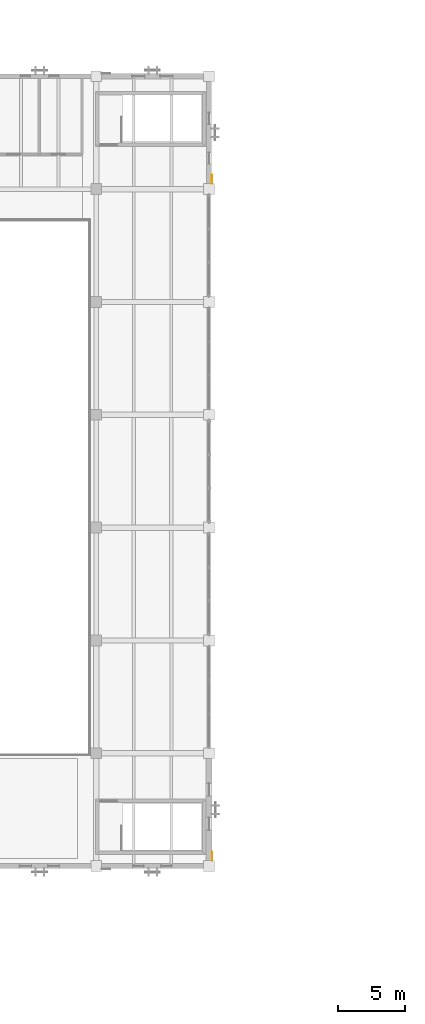
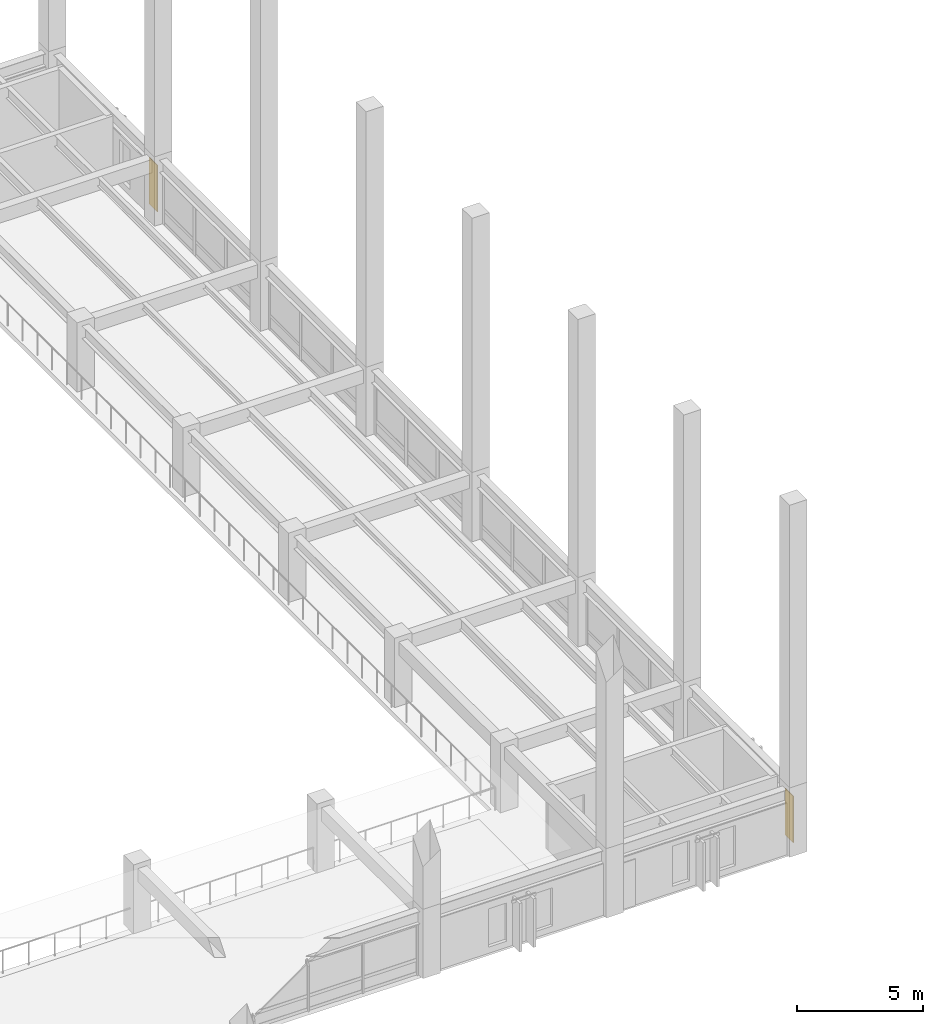
# One storey, part 57 of 64: 2 coverings.
"""IFC4 building model written with IfcOpenShell, lengths in metres."""

from ifc_helpers import new_model, si_unit, direction, frame, origin, place, context, subcontext, project, spatial, polyline, outline, extrude, material, layer, layer_set, type_object, element, save


model = new_model("IFC4")

# Units and contexts
model_context = context("Model", 3, precision=1e-05, world=origin(), true_north=direction((0.0, 1.0)))
body_context = subcontext(model_context, "Body", "Model", "MODEL_VIEW")
ifc_project = project(units=[si_unit("LENGTHUNIT", "METRE"), si_unit("AREAUNIT", "SQUARE_METRE"), si_unit("VOLUMEUNIT", "CUBIC_METRE"), si_unit("PLANEANGLEUNIT", "RADIAN"), si_unit("MASSUNIT", "GRAM", prefix="KILO")], contexts=[model_context])

# Site, building, storey
site_placement = place(None, origin())
site = spatial("IfcSite", under=ifc_project, at=site_placement, CompositionType="ELEMENT")
building_placement = place(site_placement, origin())
building = spatial("IfcBuilding", under=site, at=building_placement, Name="Cumbredor Promenade Congress Hotel", CompositionType="ELEMENT")
storey_placement = place(building_placement, frame((0.0, 0.0, 18.47998046875)))
storey = spatial("IfcBuildingStorey", under=building, at=storey_placement, Name="L05", CompositionType="ELEMENT", Elevation=18.47998046875)

# Coverings
ifc_material_1 = material(Name="Precast concrete C40/50", Category="concrete")
ifc_layer_1 = layer(ifc_material_1, 0.044921875, Name="Precast concrete C40/50", Category="concrete")
ifc_layer_set_1 = layer_set([ifc_layer_1], Name="Precast concrete C40/50")
covering_type_1 = type_object("IfcCoveringType", Name="Board-Formed Architectural Cladding Panel 45mm", PredefinedType="CLADDING", material=ifc_layer_set_1)
covering_1_placement = place(storey_placement, origin())
element("IfcCovering", 1, at=covering_1_placement, inside=storey, type_object=covering_type_1, Name="L05 Facade Stone Cladding Pier 196", PredefinedType="CLADDING", context=body_context, shape_type="SweptSolid", body=[
    extrude(outline(polyline([(67.389892578125, 59.200927734375), (67.389892578125, 59.85107421875), (67.43505859375, 59.85107421875), (67.43505859375, 59.200927734375), (67.389892578125, 59.200927734375)])), origin(), (0.0, 0.0, 1.0), 2.25),
])
ifc_material_2 = material(Name="Volcanic andesite ashlar cladding", Category="masonry")
ifc_layer_2 = layer(ifc_material_2, 0.034912109375, Name="Volcanic andesite ashlar cladding", Category="masonry")
ifc_layer_set_2 = layer_set([ifc_layer_2], Name="Volcanic andesite ashlar cladding")
covering_type_2 = type_object("IfcCoveringType", Name="Volcanic Andesite Ashlar Rainscreen Cladding 35mm", PredefinedType="CLADDING", material=ifc_layer_set_2)
covering_2_placement = place(storey_placement, origin())
element("IfcCovering", 2, at=covering_2_placement, inside=storey, type_object=covering_type_2, Name="L05 Facade Stone Cladding Pier 195", PredefinedType="CLADDING", context=body_context, shape_type="SweptSolid", body=[
    extrude(outline(polyline([(67.425048828125, 8.801025390625), (67.425048828125, 9.450927734375), (67.4599609375, 9.450927734375), (67.4599609375, 8.801025390625), (67.425048828125, 8.801025390625)])), origin(), (0.0, 0.0, 1.0), 2.25),
])

save(model, "model.ifc")
